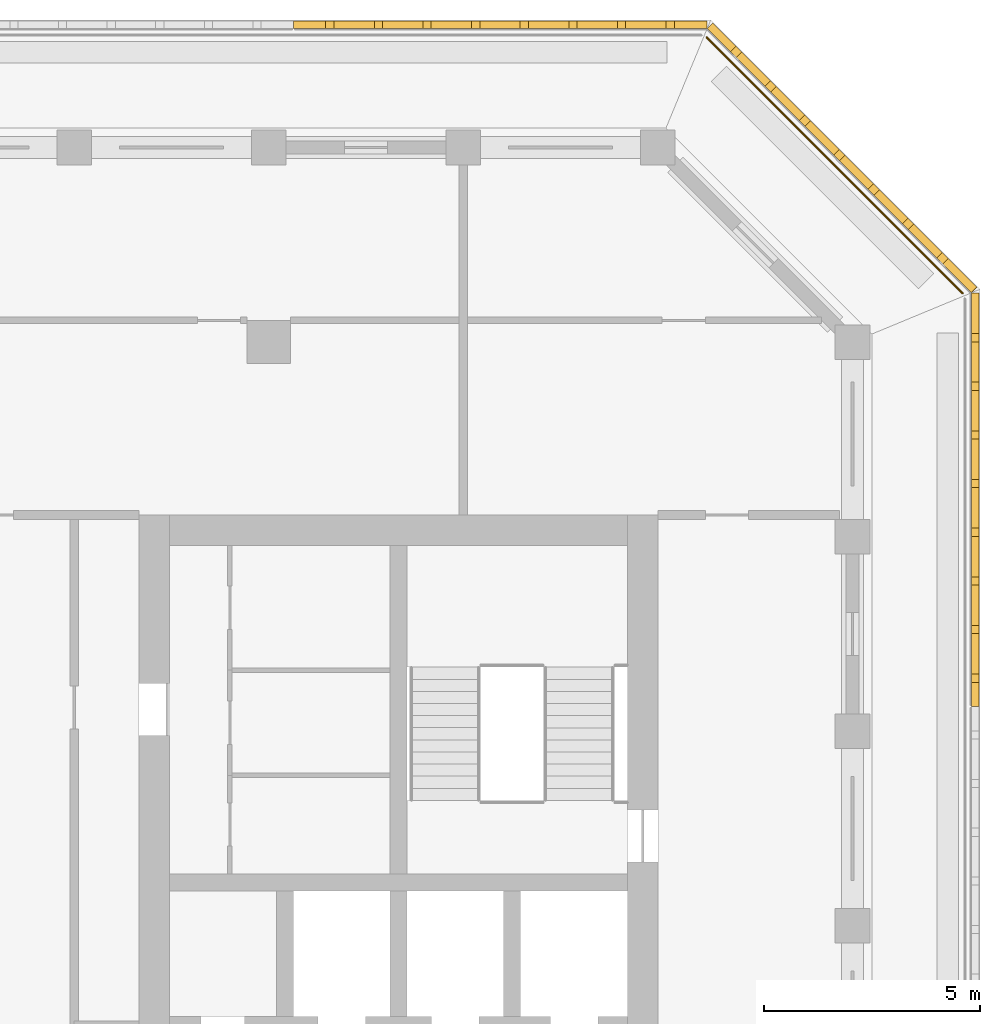
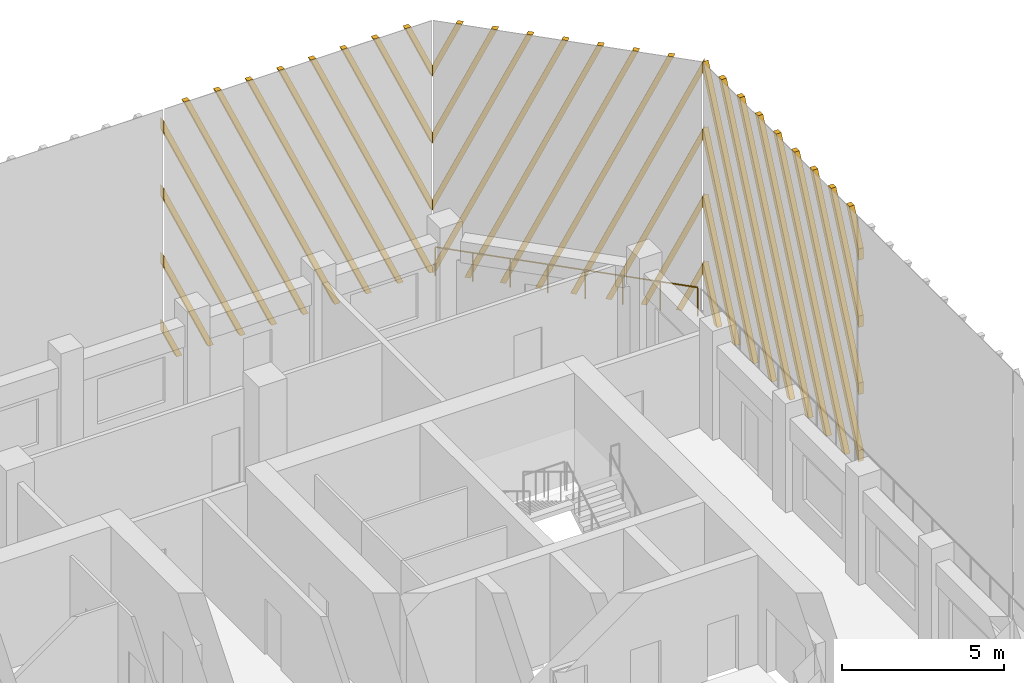
# One storey, part 15 of 16: 3 shading devices, 1 railing.
"""IFC4 building model written with IfcOpenShell, lengths in metres."""

from ifc_helpers import new_model, si_unit, direction, frame, origin, origin_2d, place, context, subcontext, project, spatial, polyline, circle, outline, extrude, source, transform, mapped, material, type_object, element, save


model = new_model("IFC4")

# Units and contexts
model_context = context("Model", 3, precision=1e-05, world=origin(), true_north=direction((0.0, 1.0)))
body_context = subcontext(model_context, "Body", "Model", "MODEL_VIEW")
ifc_project = project(units=[si_unit("LENGTHUNIT", "METRE"), si_unit("AREAUNIT", "SQUARE_METRE"), si_unit("VOLUMEUNIT", "CUBIC_METRE"), si_unit("PLANEANGLEUNIT", "RADIAN"), si_unit("MASSUNIT", "GRAM", prefix="KILO")], contexts=[model_context])

# Site, building, storey
site_placement = place(None, origin())
site = spatial("IfcSite", under=ifc_project, at=site_placement, CompositionType="ELEMENT")
building_placement = place(site_placement, origin())
building = spatial("IfcBuilding", under=site, at=building_placement, Name="Corbel Stack Research Tower", CompositionType="ELEMENT")
storey_placement = place(building_placement, frame((0.0, 0.0, 290.89990234375)))
storey = spatial("IfcBuildingStorey", under=building, at=storey_placement, Name="L66", CompositionType="ELEMENT", Elevation=290.89990234375)

# Railing
ifc_material_1 = material(Name="Powder-coated steel guard", Category="steel")
railing_type = type_object("IfcRailingType", Name="Steel and glass guard 1100", PredefinedType="GUARDRAIL", material=ifc_material_1)
railing_placement = place(storey_placement, frame((25.04931640625, 23.627685546875, 0.0)))
element("IfcRailing", 1, at=railing_placement, inside=storey, type_object=railing_type, Name="Loggia guard L66 NE", PredefinedType="GUARDRAIL", context=body_context, shape_type="SweptSolid", body=[
    extrude(circle(Radius=0.02392578125, at=origin_2d()), frame((0.0, 0.0, 1.076171875), z_axis=(-0.707106781187, 0.707106781187, 0.0), x_axis=(-0.707106781187, -0.707106781187, 0.0)), (0.0, 0.0, 1.0), 8.37451171875),
    extrude(circle(Radius=0.02099609375, at=origin_2d()), origin(), (0.0, 0.0, 1.0), 1.052001953125),
    extrude(circle(Radius=0.02099609375, at=origin_2d()), frame((-0.845947265625, 0.845947265625, 0.0)), (0.0, 0.0, 1.0), 1.052001953125),
    extrude(circle(Radius=0.02099609375, at=origin_2d()), frame((-1.69189453125, 1.69189453125, 0.0)), (0.0, 0.0, 1.0), 1.052001953125),
    extrude(circle(Radius=0.02099609375, at=origin_2d()), frame((-2.537841796875, 2.537841796875, 0.0)), (0.0, 0.0, 1.0), 1.052001953125),
    extrude(circle(Radius=0.02099609375, at=origin_2d()), frame((-3.3837890625, 3.3837890625, 0.0)), (0.0, 0.0, 1.0), 1.052001953125),
    extrude(circle(Radius=0.02099609375, at=origin_2d()), frame((-4.229736328125, 4.229736328125, 0.0)), (0.0, 0.0, 1.0), 1.052001953125),
    extrude(circle(Radius=0.02099609375, at=origin_2d()), frame((-5.07568359375, 5.07568359375, 0.0)), (0.0, 0.0, 1.0), 1.052001953125),
    extrude(circle(Radius=0.02099609375, at=origin_2d()), frame((-5.921630859375, 5.921630859375, 0.0)), (0.0, 0.0, 1.0), 1.052001953125),
])

# Shading devices
ifc_material_2 = material(Name="Precast terracotta", Category="masonry")
shading_device_type = type_object("IfcShadingDeviceType", Name="Terracotta screen panel", PredefinedType="USERDEFINED", material=ifc_material_2)
shared_shape_1 = source(origin(), body_context, "Body", "SweptSolid", [
    extrude(outline(polyline([(0.94970703125, 9.5), (0.759765625, 9.5), (0.0, 7.793701171875), (0.0, 7.366943359375), (0.94970703125, 9.5)])), frame((0.0, 0.0, 0.0), z_axis=(0.0, -1.0, 0.0), x_axis=(1.0, 0.0, 0.0)), (0.0, 0.0, 1.0), 0.179931640625),
    extrude(outline(polyline([(2.07470703125, 9.5), (1.884765625, 9.5), (0.0, 5.26708984375), (0.0, 4.840087890625), (2.07470703125, 9.5)])), frame((0.0, 0.0, 0.0), z_axis=(0.0, -1.0, 0.0), x_axis=(1.0, 0.0, 0.0)), (0.0, 0.0, 1.0), 0.179931640625),
    extrude(outline(polyline([(3.19970703125, 9.5), (3.009765625, 9.5), (0.0, 2.740234375), (0.0, 2.3134765625), (3.19970703125, 9.5)])), frame((0.0, 0.0, 0.0), z_axis=(0.0, -1.0, 0.0), x_axis=(1.0, 0.0, 0.0)), (0.0, 0.0, 1.0), 0.179931640625),
    extrude(outline(polyline([(0.094970703125, 0.0), (4.32470703125, 9.5), (4.134765625, 9.5), (0.0, 0.21337890625), (0.0, 0.0), (0.094970703125, 0.0)])), frame((0.0, 0.0, 0.0), z_axis=(0.0, -1.0, 0.0), x_axis=(1.0, 0.0, 0.0)), (0.0, 0.0, 1.0), 0.179931640625),
    extrude(outline(polyline([(1.219970703125, 0.0), (5.44970703125, 9.5), (5.259765625, 9.5), (1.030029296875, 0.0), (1.219970703125, 0.0)])), frame((0.0, 0.0, 0.0), z_axis=(0.0, -1.0, 0.0), x_axis=(1.0, 0.0, 0.0)), (0.0, 0.0, 1.0), 0.179931640625),
    extrude(outline(polyline([(2.344970703125, 0.0), (6.57470703125, 9.5), (6.384765625, 9.5), (2.155029296875, 0.0), (2.344970703125, 0.0)])), frame((0.0, 0.0, 0.0), z_axis=(0.0, -1.0, 0.0), x_axis=(1.0, 0.0, 0.0)), (0.0, 0.0, 1.0), 0.179931640625),
    extrude(outline(polyline([(3.469970703125, 0.0), (7.69970703125, 9.5), (7.509765625, 9.5), (3.280029296875, 0.0), (3.469970703125, 0.0)])), frame((0.0, 0.0, 0.0), z_axis=(0.0, -1.0, 0.0), x_axis=(1.0, 0.0, 0.0)), (0.0, 0.0, 1.0), 0.179931640625),
    extrude(outline(polyline([(4.594970703125, 0.0), (8.82470703125, 9.5), (8.634765625, 9.5), (4.405029296875, 0.0), (4.594970703125, 0.0)])), frame((0.0, 0.0, 0.0), z_axis=(0.0, -1.0, 0.0), x_axis=(1.0, 0.0, 0.0)), (0.0, 0.0, 1.0), 0.179931640625),
    extrude(outline(polyline([(5.719970703125, 0.0), (9.569580078125, 8.646240234375), (9.569580078125, 9.072998046875), (5.530029296875, 0.0), (5.719970703125, 0.0)])), frame((0.0, 0.0, 0.0), z_axis=(0.0, -1.0, 0.0), x_axis=(1.0, 0.0, 0.0)), (0.0, 0.0, 1.0), 0.179931640625),
    extrude(outline(polyline([(6.844970703125, 0.0), (9.569580078125, 6.119384765625), (9.569580078125, 6.546142578125), (6.655029296875, 0.0), (6.844970703125, 0.0)])), frame((0.0, 0.0, 0.0), z_axis=(0.0, -1.0, 0.0), x_axis=(1.0, 0.0, 0.0)), (0.0, 0.0, 1.0), 0.179931640625),
    extrude(outline(polyline([(7.969970703125, 0.0), (9.569580078125, 3.592529296875), (9.569580078125, 4.019287109375), (7.780029296875, 0.0), (7.969970703125, 0.0)])), frame((0.0, 0.0, 0.0), z_axis=(0.0, -1.0, 0.0), x_axis=(1.0, 0.0, 0.0)), (0.0, 0.0, 1.0), 0.179931640625),
    extrude(outline(polyline([(9.094970703125, 0.0), (9.569580078125, 1.06591796875), (9.569580078125, 1.49267578125), (8.905029296875, 0.0), (9.094970703125, 0.0)])), frame((0.0, 0.0, 0.0), z_axis=(0.0, -1.0, 0.0), x_axis=(1.0, 0.0, 0.0)), (0.0, 0.0, 1.0), 0.179931640625),
])
shading_device_1_placement = place(storey_placement, frame((19.13916015625, 29.75, 0.0), z_axis=(0.0, 0.0, 1.0), x_axis=(-1.0, 0.0, 0.0)))
element("IfcShadingDevice", 2, at=shading_device_1_placement, inside=storey, type_object=shading_device_type, Name="Terracotta screen L66 N1", ObjectType="SCREEN", PredefinedType="USERDEFINED", context=body_context, shape_type="MappedRepresentation", body=[
    mapped(shared_shape_1, transform((0.0, 0.0, 0.0))),
])
shared_shape_2 = source(origin(), body_context, "Body", "SweptSolid", [
    extrude(outline(polyline([(0.752197265625, 9.5), (0.56201171875, 9.5), (0.0, 8.237548828125), (0.0, 7.810791015625), (0.752197265625, 9.5)])), frame((0.0, 0.0, 0.0), z_axis=(0.0, -1.0, 0.0), x_axis=(1.0, 0.0, 0.0)), (0.0, 0.0, 1.0), 0.179931640625),
    extrude(outline(polyline([(1.877197265625, 9.5), (1.68701171875, 9.5), (0.0, 5.710693359375), (0.0, 5.283935546875), (1.877197265625, 9.5)])), frame((0.0, 0.0, 0.0), z_axis=(0.0, -1.0, 0.0), x_axis=(1.0, 0.0, 0.0)), (0.0, 0.0, 1.0), 0.179931640625),
    extrude(outline(polyline([(3.002197265625, 9.5), (2.81201171875, 9.5), (0.0, 3.18408203125), (0.0, 2.757080078125), (3.002197265625, 9.5)])), frame((0.0, 0.0, 0.0), z_axis=(0.0, -1.0, 0.0), x_axis=(1.0, 0.0, 0.0)), (0.0, 0.0, 1.0), 0.179931640625),
    extrude(outline(polyline([(4.127197265625, 9.5), (3.93701171875, 9.5), (0.0, 0.6572265625), (0.0, 0.23046875), (4.127197265625, 9.5)])), frame((0.0, 0.0, 0.0), z_axis=(0.0, -1.0, 0.0), x_axis=(1.0, 0.0, 0.0)), (0.0, 0.0, 1.0), 0.179931640625),
    extrude(outline(polyline([(1.0224609375, 0.0), (5.252197265625, 9.5), (5.06201171875, 9.5), (0.83251953125, 0.0), (1.0224609375, 0.0)])), frame((0.0, 0.0, 0.0), z_axis=(0.0, -1.0, 0.0), x_axis=(1.0, 0.0, 0.0)), (0.0, 0.0, 1.0), 0.179931640625),
    extrude(outline(polyline([(2.1474609375, 0.0), (6.377197265625, 9.5), (6.18701171875, 9.5), (1.95751953125, 0.0), (2.1474609375, 0.0)])), frame((0.0, 0.0, 0.0), z_axis=(0.0, -1.0, 0.0), x_axis=(1.0, 0.0, 0.0)), (0.0, 0.0, 1.0), 0.179931640625),
    extrude(outline(polyline([(3.2724609375, 0.0), (7.502197265625, 9.5), (7.31201171875, 9.5), (3.08251953125, 0.0), (3.2724609375, 0.0)])), frame((0.0, 0.0, 0.0), z_axis=(0.0, -1.0, 0.0), x_axis=(1.0, 0.0, 0.0)), (0.0, 0.0, 1.0), 0.179931640625),
    extrude(outline(polyline([(4.3974609375, 0.0), (8.627197265625, 9.5), (8.43701171875, 9.5), (4.20751953125, 0.0), (4.3974609375, 0.0)])), frame((0.0, 0.0, 0.0), z_axis=(0.0, -1.0, 0.0), x_axis=(1.0, 0.0, 0.0)), (0.0, 0.0, 1.0), 0.179931640625),
    extrude(outline(polyline([(5.5224609375, 0.0), (9.569580078125, 9.090087890625), (9.569580078125, 9.5), (9.56201171875, 9.5), (5.33251953125, 0.0), (5.5224609375, 0.0)])), frame((0.0, 0.0, 0.0), z_axis=(0.0, -1.0, 0.0), x_axis=(1.0, 0.0, 0.0)), (0.0, 0.0, 1.0), 0.179931640625),
    extrude(outline(polyline([(6.6474609375, 0.0), (9.569580078125, 6.563232421875), (9.569580078125, 6.989990234375), (6.45751953125, 0.0), (6.6474609375, 0.0)])), frame((0.0, 0.0, 0.0), z_axis=(0.0, -1.0, 0.0), x_axis=(1.0, 0.0, 0.0)), (0.0, 0.0, 1.0), 0.179931640625),
    extrude(outline(polyline([(7.7724609375, 0.0), (9.569580078125, 4.036376953125), (9.569580078125, 4.463134765625), (7.58251953125, 0.0), (7.7724609375, 0.0)])), frame((0.0, 0.0, 0.0), z_axis=(0.0, -1.0, 0.0), x_axis=(1.0, 0.0, 0.0)), (0.0, 0.0, 1.0), 0.179931640625),
    extrude(outline(polyline([(8.8974609375, 0.0), (9.569580078125, 1.509521484375), (9.569580078125, 1.936279296875), (8.70751953125, 0.0), (8.8974609375, 0.0)])), frame((0.0, 0.0, 0.0), z_axis=(0.0, -1.0, 0.0), x_axis=(1.0, 0.0, 0.0)), (0.0, 0.0, 1.0), 0.179931640625),
])
shading_device_2_placement = place(storey_placement, frame((25.25, 14.069580078125, 0.0), z_axis=(0.0, 0.0, 1.0), x_axis=(0.0, 1.0, 0.0)))
element("IfcShadingDevice", 3, at=shading_device_2_placement, inside=storey, type_object=shading_device_type, Name="Terracotta screen L66 E4", ObjectType="SCREEN", PredefinedType="USERDEFINED", context=body_context, shape_type="MappedRepresentation", body=[
    mapped(shared_shape_2, transform((0.0, 0.0, 0.0))),
])
shared_shape_3 = source(origin(), body_context, "Body", "SweptSolid", [
    extrude(outline(polyline([(0.862060546875, 0.0), (0.0, 1.936279296875), (0.0, 1.509521484375), (0.672119140625, 0.0), (0.862060546875, 0.0)])), frame((0.0, 0.0, 0.0), z_axis=(0.0, -1.0, 0.0), x_axis=(1.0, 0.0, 0.0)), (0.0, 0.0, 1.0), 0.179931640625),
    extrude(outline(polyline([(1.987060546875, 0.0), (0.0, 4.463134765625), (0.0, 4.036376953125), (1.797119140625, 0.0), (1.987060546875, 0.0)])), frame((0.0, 0.0, 0.0), z_axis=(0.0, -1.0, 0.0), x_axis=(1.0, 0.0, 0.0)), (0.0, 0.0, 1.0), 0.179931640625),
    extrude(outline(polyline([(3.112060546875, 0.0), (0.0, 6.989990234375), (0.0, 6.563232421875), (2.922119140625, 0.0), (3.112060546875, 0.0)])), frame((0.0, 0.0, 0.0), z_axis=(0.0, -1.0, 0.0), x_axis=(1.0, 0.0, 0.0)), (0.0, 0.0, 1.0), 0.179931640625),
    extrude(outline(polyline([(4.237060546875, 0.0), (0.007568359375, 9.5), (0.0, 9.5), (0.0, 9.090087890625), (4.047119140625, 0.0), (4.237060546875, 0.0)])), frame((0.0, 0.0, 0.0), z_axis=(0.0, -1.0, 0.0), x_axis=(1.0, 0.0, 0.0)), (0.0, 0.0, 1.0), 0.179931640625),
    extrude(outline(polyline([(5.362060546875, 0.0), (1.132568359375, 9.5), (0.9423828125, 9.5), (5.172119140625, 0.0), (5.362060546875, 0.0)])), frame((0.0, 0.0, 0.0), z_axis=(0.0, -1.0, 0.0), x_axis=(1.0, 0.0, 0.0)), (0.0, 0.0, 1.0), 0.179931640625),
    extrude(outline(polyline([(6.487060546875, 0.0), (2.257568359375, 9.5), (2.0673828125, 9.5), (6.297119140625, 0.0), (6.487060546875, 0.0)])), frame((0.0, 0.0, 0.0), z_axis=(0.0, -1.0, 0.0), x_axis=(1.0, 0.0, 0.0)), (0.0, 0.0, 1.0), 0.179931640625),
    extrude(outline(polyline([(7.612060546875, 0.0), (3.382568359375, 9.5), (3.1923828125, 9.5), (7.422119140625, 0.0), (7.612060546875, 0.0)])), frame((0.0, 0.0, 0.0), z_axis=(0.0, -1.0, 0.0), x_axis=(1.0, 0.0, 0.0)), (0.0, 0.0, 1.0), 0.179931640625),
    extrude(outline(polyline([(8.64208984375, 0.0), (8.64208984375, 0.21337890625), (4.507568359375, 9.5), (4.3173828125, 9.5), (8.547119140625, 0.0), (8.64208984375, 0.0)])), frame((0.0, 0.0, 0.0), z_axis=(0.0, -1.0, 0.0), x_axis=(1.0, 0.0, 0.0)), (0.0, 0.0, 1.0), 0.179931640625),
    extrude(outline(polyline([(5.632568359375, 9.5), (5.4423828125, 9.5), (8.64208984375, 2.3134765625), (8.64208984375, 2.740234375), (5.632568359375, 9.5)])), frame((0.0, 0.0, 0.0), z_axis=(0.0, -1.0, 0.0), x_axis=(1.0, 0.0, 0.0)), (0.0, 0.0, 1.0), 0.179931640625),
    extrude(outline(polyline([(6.757568359375, 9.5), (6.5673828125, 9.5), (8.64208984375, 4.840087890625), (8.64208984375, 5.26708984375), (6.757568359375, 9.5)])), frame((0.0, 0.0, 0.0), z_axis=(0.0, -1.0, 0.0), x_axis=(1.0, 0.0, 0.0)), (0.0, 0.0, 1.0), 0.179931640625),
    extrude(outline(polyline([(7.882568359375, 9.5), (7.6923828125, 9.5), (8.64208984375, 7.366943359375), (8.64208984375, 7.793701171875), (7.882568359375, 9.5)])), frame((0.0, 0.0, 0.0), z_axis=(0.0, -1.0, 0.0), x_axis=(1.0, 0.0, 0.0)), (0.0, 0.0, 1.0), 0.179931640625),
])
shading_device_3_placement = place(storey_placement, frame((25.25, 23.63916015625, 0.0), z_axis=(0.0, 0.0, 1.0), x_axis=(-0.707106781187, 0.707106781187, 0.0)))
element("IfcShadingDevice", 4, at=shading_device_3_placement, inside=storey, type_object=shading_device_type, Name="Terracotta screen L66 NE1", ObjectType="SCREEN", PredefinedType="USERDEFINED", context=body_context, shape_type="MappedRepresentation", body=[
    mapped(shared_shape_3, transform((0.0, 0.0, 0.0))),
])

save(model, "model.ifc")
